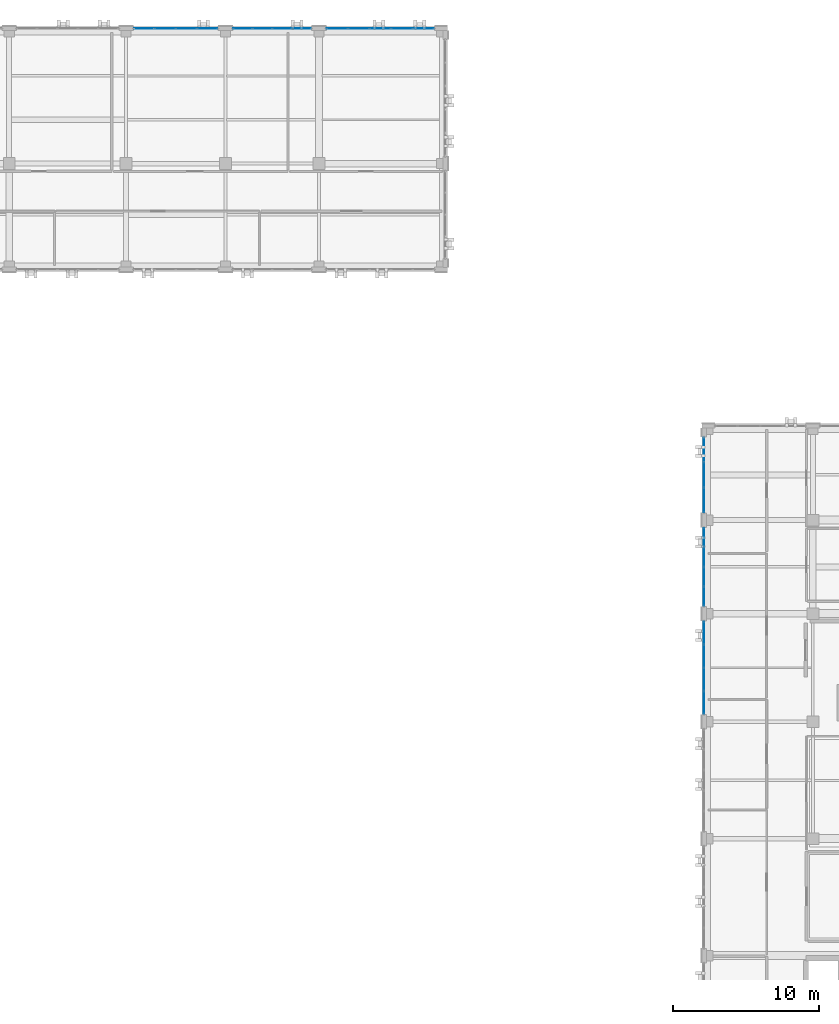
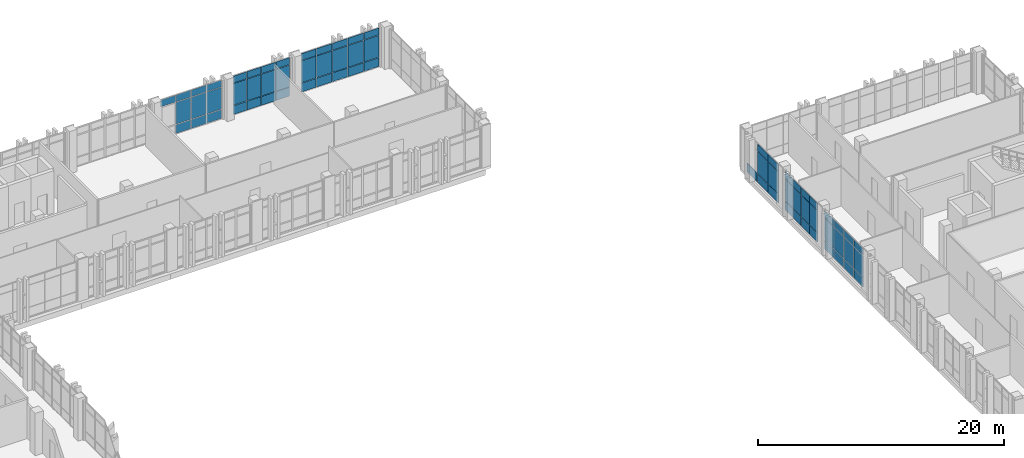
# One storey, part 147 of 193: 68 plates, 6 elements without a shape of their own.
"""IFC4 building model written with IfcOpenShell, lengths in metres."""

from ifc_helpers import new_model, si_unit, direction, frame, origin, origin_2d, place, context, subcontext, project, spatial, rectangle, extrude, material, layer, layer_set, type_object, element, aggregate, save


model = new_model("IFC4")

# Units and contexts
model_context = context("Model", 3, precision=1e-05, world=origin(), true_north=direction((0.0, 1.0)))
body_context = subcontext(model_context, "Body", "Model", "MODEL_VIEW")
ifc_project = project(units=[si_unit("LENGTHUNIT", "METRE"), si_unit("AREAUNIT", "SQUARE_METRE"), si_unit("VOLUMEUNIT", "CUBIC_METRE"), si_unit("PLANEANGLEUNIT", "RADIAN"), si_unit("MASSUNIT", "GRAM", prefix="KILO")], contexts=[model_context])

# Site, building, storey
site_placement = place(None, origin())
site = spatial("IfcSite", under=ifc_project, at=site_placement, CompositionType="ELEMENT")
building_placement = place(site_placement, origin())
building = spatial("IfcBuilding", under=site, at=building_placement, Name="Qalavern Law Courts", CompositionType="ELEMENT")
storey_placement = place(building_placement, frame((0.0, 0.0, 10.199951171875)))
storey = spatial("IfcBuildingStorey", under=building, at=storey_placement, Name="L02", CompositionType="ELEMENT", Elevation=10.199951171875)

# Curtain wall, plates
ifc_material_1 = material(Name="Anodised aluminium and insulated glazing", Category="aluminium")
ifc_layer_1 = layer(ifc_material_1, 0.172119140625)
ifc_layer_set_1 = layer_set([ifc_layer_1], Name="Anodised aluminium and insulated glazing")
curtain_wall_type_1 = type_object("IfcCurtainWallType", Name="ENV-CW-COURT", PredefinedType="USERDEFINED", material=ifc_layer_set_1)
curtain_wall_1_placement = place(storey_placement, origin())
curtain_wall_1 = element("IfcCurtainWall", 1, at=curtain_wall_1_placement, inside=storey, type_object=curtain_wall_type_1, Name="V4 unitised curtain wall L02 west 3", ObjectType="UNITISED CURTAIN WALL", PredefinedType="USERDEFINED")
ifc_material_2 = material(Name="Insulated low-E acoustic glazing", Category="glass")
ifc_layer_2 = layer(ifc_material_2, 0.02392578125)
ifc_layer_set_2 = layer_set([ifc_layer_2], Name="Insulated low-E acoustic glazing")
plate_type_1 = type_object("IfcPlateType", Name="ENV-CWP-24", PredefinedType="CURTAIN_PANEL", material=ifc_layer_set_2)
plate_1_placement = place(storey_placement, frame((84.35498046875, 71.488037109375, 0.048095703125), z_axis=(0.0, 0.0, 1.0), x_axis=(0.0, -1.0, 0.0)))
plate_1 = element("IfcPlate", 2, at=plate_1_placement, type_object=plate_type_1, Name="CW-03 panel 1.1", PredefinedType="CURTAIN_PANEL", context=body_context, shape_type="SweptSolid", body=[
    extrude(rectangle(XDim=1.528076171875, YDim=0.02392578125, at=origin_2d()), origin(), (0.0, 0.0, 1.0), 0.8779296875),
])
plate_2_placement = place(storey_placement, frame((84.35498046875, 71.488037109375, 0.97412109375), z_axis=(0.0, 0.0, 1.0), x_axis=(0.0, -1.0, 0.0)))
plate_2 = element("IfcPlate", 3, at=plate_2_placement, type_object=plate_type_1, Name="CW-03 panel 1.2", PredefinedType="CURTAIN_PANEL", context=body_context, shape_type="SweptSolid", body=[
    extrude(rectangle(XDim=1.528076171875, YDim=0.02392578125, at=origin_2d()), origin(), (0.0, 0.0, 1.0), 2.1669921875),
])
plate_3_placement = place(storey_placement, frame((84.35498046875, 71.488037109375, 3.18896484375), z_axis=(0.0, 0.0, 1.0), x_axis=(0.0, -1.0, 0.0)))
plate_3 = element("IfcPlate", 4, at=plate_3_placement, type_object=plate_type_1, Name="CW-03 panel 1.3", PredefinedType="CURTAIN_PANEL", context=body_context, shape_type="SweptSolid", body=[
    extrude(rectangle(XDim=1.528076171875, YDim=0.02392578125, at=origin_2d()), origin(), (0.0, 0.0, 1.0), 0.677978515625),
])
plate_4_placement = place(storey_placement, frame((84.35498046875, 69.89990234375, 0.048095703125), z_axis=(0.0, 0.0, 1.0), x_axis=(0.0, -1.0, 0.0)))
plate_4 = element("IfcPlate", 5, at=plate_4_placement, type_object=plate_type_1, Name="CW-03 panel 2.1", PredefinedType="CURTAIN_PANEL", context=body_context, shape_type="SweptSolid", body=[
    extrude(rectangle(XDim=1.552001953125, YDim=0.02392578125, at=origin_2d()), origin(), (0.0, 0.0, 1.0), 0.8779296875),
])
plate_5_placement = place(storey_placement, frame((84.35498046875, 69.89990234375, 0.97412109375), z_axis=(0.0, 0.0, 1.0), x_axis=(0.0, -1.0, 0.0)))
plate_5 = element("IfcPlate", 6, at=plate_5_placement, type_object=plate_type_1, Name="CW-03 panel 2.2", PredefinedType="CURTAIN_PANEL", context=body_context, shape_type="SweptSolid", body=[
    extrude(rectangle(XDim=1.552001953125, YDim=0.02392578125, at=origin_2d()), origin(), (0.0, 0.0, 1.0), 2.1669921875),
])
plate_6_placement = place(storey_placement, frame((84.35498046875, 69.89990234375, 3.18896484375), z_axis=(0.0, 0.0, 1.0), x_axis=(0.0, -1.0, 0.0)))
plate_6 = element("IfcPlate", 7, at=plate_6_placement, type_object=plate_type_1, Name="CW-03 panel 2.3", PredefinedType="CURTAIN_PANEL", context=body_context, shape_type="SweptSolid", body=[
    extrude(rectangle(XDim=1.552001953125, YDim=0.02392578125, at=origin_2d()), origin(), (0.0, 0.0, 1.0), 0.677978515625),
])
plate_7_placement = place(storey_placement, frame((84.35498046875, 68.300048828125, 0.048095703125), z_axis=(0.0, 0.0, 1.0), x_axis=(0.0, -1.0, 0.0)))
plate_7 = element("IfcPlate", 8, at=plate_7_placement, type_object=plate_type_1, Name="CW-03 panel 3.1", PredefinedType="CURTAIN_PANEL", context=body_context, shape_type="SweptSolid", body=[
    extrude(rectangle(XDim=1.552001953125, YDim=0.02392578125, at=origin_2d()), origin(), (0.0, 0.0, 1.0), 0.8779296875),
])
plate_8_placement = place(storey_placement, frame((84.35498046875, 68.300048828125, 0.97412109375), z_axis=(0.0, 0.0, 1.0), x_axis=(0.0, -1.0, 0.0)))
plate_8 = element("IfcPlate", 9, at=plate_8_placement, type_object=plate_type_1, Name="CW-03 panel 3.2", PredefinedType="CURTAIN_PANEL", context=body_context, shape_type="SweptSolid", body=[
    extrude(rectangle(XDim=1.552001953125, YDim=0.02392578125, at=origin_2d()), origin(), (0.0, 0.0, 1.0), 2.1669921875),
])
plate_9_placement = place(storey_placement, frame((84.35498046875, 68.300048828125, 3.18896484375), z_axis=(0.0, 0.0, 1.0), x_axis=(0.0, -1.0, 0.0)))
plate_9 = element("IfcPlate", 10, at=plate_9_placement, type_object=plate_type_1, Name="CW-03 panel 3.3", PredefinedType="CURTAIN_PANEL", context=body_context, shape_type="SweptSolid", body=[
    extrude(rectangle(XDim=1.552001953125, YDim=0.02392578125, at=origin_2d()), origin(), (0.0, 0.0, 1.0), 0.677978515625),
])
plate_10_placement = place(storey_placement, frame((84.35498046875, 66.7119140625, 0.048095703125), z_axis=(0.0, 0.0, 1.0), x_axis=(0.0, -1.0, 0.0)))
plate_10 = element("IfcPlate", 11, at=plate_10_placement, type_object=plate_type_1, Name="CW-03 panel 4.1", PredefinedType="CURTAIN_PANEL", context=body_context, shape_type="SweptSolid", body=[
    extrude(rectangle(XDim=1.528076171875, YDim=0.02392578125, at=origin_2d()), origin(), (0.0, 0.0, 1.0), 0.8779296875),
])
plate_11_placement = place(storey_placement, frame((84.35498046875, 66.7119140625, 0.97412109375), z_axis=(0.0, 0.0, 1.0), x_axis=(0.0, -1.0, 0.0)))
plate_11 = element("IfcPlate", 12, at=plate_11_placement, type_object=plate_type_1, Name="CW-03 panel 4.2", PredefinedType="CURTAIN_PANEL", context=body_context, shape_type="SweptSolid", body=[
    extrude(rectangle(XDim=1.528076171875, YDim=0.02392578125, at=origin_2d()), origin(), (0.0, 0.0, 1.0), 2.1669921875),
])
plate_12_placement = place(storey_placement, frame((84.35498046875, 66.7119140625, 3.18896484375), z_axis=(0.0, 0.0, 1.0), x_axis=(0.0, -1.0, 0.0)))
plate_12 = element("IfcPlate", 13, at=plate_12_placement, type_object=plate_type_1, Name="CW-03 panel 4.3", PredefinedType="CURTAIN_PANEL", context=body_context, shape_type="SweptSolid", body=[
    extrude(rectangle(XDim=1.528076171875, YDim=0.02392578125, at=origin_2d()), origin(), (0.0, 0.0, 1.0), 0.677978515625),
])
aggregate(curtain_wall_1, [plate_1, plate_2, plate_3, plate_4, plate_5, plate_6, plate_7, plate_8, plate_9, plate_10, plate_11, plate_12])

ifc_layer_3 = layer(ifc_material_1, 0.166015625)
ifc_layer_set_3 = layer_set([ifc_layer_3], Name="Anodised aluminium and insulated glazing")
curtain_wall_type_2 = type_object("IfcCurtainWallType", Name="ENV-CW-LIB", PredefinedType="USERDEFINED", material=ifc_layer_set_3)
curtain_wall_2_placement = place(storey_placement, origin())
curtain_wall_2 = element("IfcCurtainWall", 14, at=curtain_wall_2_placement, inside=storey, type_object=curtain_wall_type_2, Name="V5 unitised curtain wall L02 north 3", ObjectType="UNITISED CURTAIN WALL", PredefinedType="USERDEFINED")
plate_13_placement = place(storey_placement, frame((50.363037109375, 112.844970703125, 0.048095703125), z_axis=(0.0, 0.0, 1.0), x_axis=(-1.0, 0.0, 0.0)))
plate_13 = element("IfcPlate", 15, at=plate_13_placement, type_object=plate_type_1, Name="CW-05 panel 1.1", PredefinedType="CURTAIN_PANEL", context=body_context, shape_type="SweptSolid", body=[
    extrude(rectangle(XDim=1.3779296875, YDim=0.02392578125, at=origin_2d()), origin(), (0.0, 0.0, 1.0), 0.8779296875),
])
plate_14_placement = place(storey_placement, frame((50.363037109375, 112.844970703125, 0.97412109375), z_axis=(0.0, 0.0, 1.0), x_axis=(-1.0, 0.0, 0.0)))
plate_14 = element("IfcPlate", 16, at=plate_14_placement, type_object=plate_type_1, Name="CW-05 panel 1.2", PredefinedType="CURTAIN_PANEL", context=body_context, shape_type="SweptSolid", body=[
    extrude(rectangle(XDim=1.3779296875, YDim=0.02392578125, at=origin_2d()), origin(), (0.0, 0.0, 1.0), 2.1669921875),
])
plate_15_placement = place(storey_placement, frame((50.363037109375, 112.844970703125, 3.18896484375), z_axis=(0.0, 0.0, 1.0), x_axis=(-1.0, 0.0, 0.0)))
plate_15 = element("IfcPlate", 17, at=plate_15_placement, type_object=plate_type_1, Name="CW-05 panel 1.3", PredefinedType="CURTAIN_PANEL", context=body_context, shape_type="SweptSolid", body=[
    extrude(rectangle(XDim=1.3779296875, YDim=0.02392578125, at=origin_2d()), origin(), (0.0, 0.0, 1.0), 0.677978515625),
])
plate_16_placement = place(storey_placement, frame((48.925048828125, 112.844970703125, 0.048095703125), z_axis=(0.0, 0.0, 1.0), x_axis=(-1.0, 0.0, 0.0)))
plate_16 = element("IfcPlate", 18, at=plate_16_placement, type_object=plate_type_1, Name="CW-05 panel 2.1", PredefinedType="CURTAIN_PANEL", context=body_context, shape_type="SweptSolid", body=[
    extrude(rectangle(XDim=1.402099609375, YDim=0.02392578125, at=origin_2d()), origin(), (0.0, 0.0, 1.0), 0.8779296875),
])
plate_17_placement = place(storey_placement, frame((48.925048828125, 112.844970703125, 0.97412109375), z_axis=(0.0, 0.0, 1.0), x_axis=(-1.0, 0.0, 0.0)))
plate_17 = element("IfcPlate", 19, at=plate_17_placement, type_object=plate_type_1, Name="CW-05 panel 2.2", PredefinedType="CURTAIN_PANEL", context=body_context, shape_type="SweptSolid", body=[
    extrude(rectangle(XDim=1.402099609375, YDim=0.02392578125, at=origin_2d()), origin(), (0.0, 0.0, 1.0), 2.1669921875),
])
plate_18_placement = place(storey_placement, frame((48.925048828125, 112.844970703125, 3.18896484375), z_axis=(0.0, 0.0, 1.0), x_axis=(-1.0, 0.0, 0.0)))
plate_18 = element("IfcPlate", 20, at=plate_18_placement, type_object=plate_type_1, Name="CW-05 panel 2.3", PredefinedType="CURTAIN_PANEL", context=body_context, shape_type="SweptSolid", body=[
    extrude(rectangle(XDim=1.402099609375, YDim=0.02392578125, at=origin_2d()), origin(), (0.0, 0.0, 1.0), 0.677978515625),
])
plate_19_placement = place(storey_placement, frame((47.47509765625, 112.844970703125, 0.048095703125), z_axis=(0.0, 0.0, 1.0), x_axis=(-1.0, 0.0, 0.0)))
plate_19 = element("IfcPlate", 21, at=plate_19_placement, type_object=plate_type_1, Name="CW-05 panel 3.1", PredefinedType="CURTAIN_PANEL", context=body_context, shape_type="SweptSolid", body=[
    extrude(rectangle(XDim=1.402099609375, YDim=0.02392578125, at=origin_2d()), origin(), (0.0, 0.0, 1.0), 0.8779296875),
])
plate_20_placement = place(storey_placement, frame((47.47509765625, 112.844970703125, 0.97412109375), z_axis=(0.0, 0.0, 1.0), x_axis=(-1.0, 0.0, 0.0)))
plate_20 = element("IfcPlate", 22, at=plate_20_placement, type_object=plate_type_1, Name="CW-05 panel 3.2", PredefinedType="CURTAIN_PANEL", context=body_context, shape_type="SweptSolid", body=[
    extrude(rectangle(XDim=1.402099609375, YDim=0.02392578125, at=origin_2d()), origin(), (0.0, 0.0, 1.0), 2.1669921875),
])
plate_21_placement = place(storey_placement, frame((47.47509765625, 112.844970703125, 3.18896484375), z_axis=(0.0, 0.0, 1.0), x_axis=(-1.0, 0.0, 0.0)))
plate_21 = element("IfcPlate", 23, at=plate_21_placement, type_object=plate_type_1, Name="CW-05 panel 3.3", PredefinedType="CURTAIN_PANEL", context=body_context, shape_type="SweptSolid", body=[
    extrude(rectangle(XDim=1.402099609375, YDim=0.02392578125, at=origin_2d()), origin(), (0.0, 0.0, 1.0), 0.677978515625),
])
plate_22_placement = place(storey_placement, frame((46.037109375, 112.844970703125, 3.18896484375), z_axis=(0.0, 0.0, 1.0), x_axis=(-1.0, 0.0, 0.0)))
plate_22 = element("IfcPlate", 24, at=plate_22_placement, type_object=plate_type_1, Name="CW-05 panel 4.3", PredefinedType="CURTAIN_PANEL", context=body_context, shape_type="SweptSolid", body=[
    extrude(rectangle(XDim=1.3779296875, YDim=0.02392578125, at=origin_2d()), origin(), (0.0, 0.0, 1.0), 0.677978515625),
])
aggregate(curtain_wall_2, [plate_13, plate_14, plate_15, plate_16, plate_17, plate_18, plate_19, plate_20, plate_21, plate_22])

curtain_wall_3_placement = place(storey_placement, origin())
curtain_wall_3 = element("IfcCurtainWall", 25, at=curtain_wall_3_placement, inside=storey, type_object=curtain_wall_type_1, Name="V4 unitised curtain wall L02 west 1", ObjectType="UNITISED CURTAIN WALL", PredefinedType="USERDEFINED")
ifc_layer_4 = layer(ifc_material_2, 0.048095703125)
ifc_layer_set_4 = layer_set([ifc_layer_4], Name="Insulated low-E acoustic glazing")
plate_type_2 = type_object("IfcPlateType", Name="ENV-CWP-48", PredefinedType="CURTAIN_PANEL", material=ifc_layer_set_4)
plate_23_placement = place(storey_placement, frame((84.35498046875, 84.021240234375, 0.048095703125), z_axis=(0.0, 0.0, 1.0), x_axis=(0.0, -1.0, 0.0)))
plate_23 = element("IfcPlate", 26, at=plate_23_placement, type_object=plate_type_2, Name="CW-03 panel 1.1", PredefinedType="CURTAIN_PANEL", context=body_context, shape_type="SweptSolid", body=[
    extrude(rectangle(XDim=1.661376953125, YDim=0.048095703125, at=origin_2d()), origin(), (0.0, 0.0, 1.0), 0.8779296875),
])
plate_24_placement = place(storey_placement, frame((84.35498046875, 82.300048828125, 0.048095703125), z_axis=(0.0, 0.0, 1.0), x_axis=(0.0, -1.0, 0.0)))
plate_24 = element("IfcPlate", 27, at=plate_24_placement, type_object=plate_type_2, Name="CW-03 panel 2.1", PredefinedType="CURTAIN_PANEL", context=body_context, shape_type="SweptSolid", body=[
    extrude(rectangle(XDim=1.685302734375, YDim=0.048095703125, at=origin_2d()), origin(), (0.0, 0.0, 1.0), 0.8779296875),
])
plate_25_placement = place(storey_placement, frame((84.35498046875, 82.300048828125, 0.97412109375), z_axis=(0.0, 0.0, 1.0), x_axis=(0.0, -1.0, 0.0)))
plate_25 = element("IfcPlate", 28, at=plate_25_placement, type_object=plate_type_2, Name="CW-03 panel 2.2", PredefinedType="CURTAIN_PANEL", context=body_context, shape_type="SweptSolid", body=[
    extrude(rectangle(XDim=1.685302734375, YDim=0.048095703125, at=origin_2d()), origin(), (0.0, 0.0, 1.0), 2.1669921875),
])
plate_26_placement = place(storey_placement, frame((84.35498046875, 82.300048828125, 3.18896484375), z_axis=(0.0, 0.0, 1.0), x_axis=(0.0, -1.0, 0.0)))
plate_26 = element("IfcPlate", 29, at=plate_26_placement, type_object=plate_type_2, Name="CW-03 panel 2.3", PredefinedType="CURTAIN_PANEL", context=body_context, shape_type="SweptSolid", body=[
    extrude(rectangle(XDim=1.685302734375, YDim=0.048095703125, at=origin_2d()), origin(), (0.0, 0.0, 1.0), 0.677978515625),
])
plate_27_placement = place(storey_placement, frame((84.35498046875, 80.57861328125, 0.048095703125), z_axis=(0.0, 0.0, 1.0), x_axis=(0.0, -1.0, 0.0)))
plate_27 = element("IfcPlate", 30, at=plate_27_placement, type_object=plate_type_2, Name="CW-03 panel 3.1", PredefinedType="CURTAIN_PANEL", context=body_context, shape_type="SweptSolid", body=[
    extrude(rectangle(XDim=1.661376953125, YDim=0.048095703125, at=origin_2d()), origin(), (0.0, 0.0, 1.0), 0.8779296875),
])
plate_28_placement = place(storey_placement, frame((84.35498046875, 80.57861328125, 0.97412109375), z_axis=(0.0, 0.0, 1.0), x_axis=(0.0, -1.0, 0.0)))
plate_28 = element("IfcPlate", 31, at=plate_28_placement, type_object=plate_type_2, Name="CW-03 panel 3.2", PredefinedType="CURTAIN_PANEL", context=body_context, shape_type="SweptSolid", body=[
    extrude(rectangle(XDim=1.661376953125, YDim=0.048095703125, at=origin_2d()), origin(), (0.0, 0.0, 1.0), 2.1669921875),
])
plate_29_placement = place(storey_placement, frame((84.35498046875, 80.57861328125, 3.18896484375), z_axis=(0.0, 0.0, 1.0), x_axis=(0.0, -1.0, 0.0)))
plate_29 = element("IfcPlate", 32, at=plate_29_placement, type_object=plate_type_2, Name="CW-03 panel 3.3", PredefinedType="CURTAIN_PANEL", context=body_context, shape_type="SweptSolid", body=[
    extrude(rectangle(XDim=1.661376953125, YDim=0.048095703125, at=origin_2d()), origin(), (0.0, 0.0, 1.0), 0.677978515625),
])
aggregate(curtain_wall_3, [plate_23, plate_24, plate_25, plate_26, plate_27, plate_28, plate_29])

curtain_wall_4_placement = place(storey_placement, origin())
curtain_wall_4 = element("IfcCurtainWall", 33, at=curtain_wall_4_placement, inside=storey, type_object=curtain_wall_type_2, Name="V5 unitised curtain wall L02 north 1", ObjectType="UNITISED CURTAIN WALL", PredefinedType="USERDEFINED")
plate_30_placement = place(storey_placement, frame((65.14794921875, 112.844970703125, 0.048095703125), z_axis=(0.0, 0.0, 1.0), x_axis=(-1.0, 0.0, 0.0)))
plate_30 = element("IfcPlate", 34, at=plate_30_placement, type_object=plate_type_2, Name="CW-05 panel 1.1", PredefinedType="CURTAIN_PANEL", context=body_context, shape_type="SweptSolid", body=[
    extrude(rectangle(XDim=1.407958984375, YDim=0.048095703125, at=origin_2d()), origin(), (0.0, 0.0, 1.0), 0.8779296875),
])
plate_31_placement = place(storey_placement, frame((65.14794921875, 112.844970703125, 0.97412109375), z_axis=(0.0, 0.0, 1.0), x_axis=(-1.0, 0.0, 0.0)))
plate_31 = element("IfcPlate", 35, at=plate_31_placement, type_object=plate_type_2, Name="CW-05 panel 1.2", PredefinedType="CURTAIN_PANEL", context=body_context, shape_type="SweptSolid", body=[
    extrude(rectangle(XDim=1.407958984375, YDim=0.048095703125, at=origin_2d()), origin(), (0.0, 0.0, 1.0), 2.1669921875),
])
plate_32_placement = place(storey_placement, frame((65.14794921875, 112.844970703125, 3.18896484375), z_axis=(0.0, 0.0, 1.0), x_axis=(-1.0, 0.0, 0.0)))
plate_32 = element("IfcPlate", 36, at=plate_32_placement, type_object=plate_type_2, Name="CW-05 panel 1.3", PredefinedType="CURTAIN_PANEL", context=body_context, shape_type="SweptSolid", body=[
    extrude(rectangle(XDim=1.407958984375, YDim=0.048095703125, at=origin_2d()), origin(), (0.0, 0.0, 1.0), 0.677978515625),
])
plate_33_placement = place(storey_placement, frame((63.679931640625, 112.844970703125, 0.048095703125), z_axis=(0.0, 0.0, 1.0), x_axis=(-1.0, 0.0, 0.0)))
plate_33 = element("IfcPlate", 37, at=plate_33_placement, type_object=plate_type_2, Name="CW-05 panel 2.1", PredefinedType="CURTAIN_PANEL", context=body_context, shape_type="SweptSolid", body=[
    extrude(rectangle(XDim=1.431884765625, YDim=0.048095703125, at=origin_2d()), origin(), (0.0, 0.0, 1.0), 0.8779296875),
])
plate_34_placement = place(storey_placement, frame((63.679931640625, 112.844970703125, 0.97412109375), z_axis=(0.0, 0.0, 1.0), x_axis=(-1.0, 0.0, 0.0)))
plate_34 = element("IfcPlate", 38, at=plate_34_placement, type_object=plate_type_2, Name="CW-05 panel 2.2", PredefinedType="CURTAIN_PANEL", context=body_context, shape_type="SweptSolid", body=[
    extrude(rectangle(XDim=1.431884765625, YDim=0.048095703125, at=origin_2d()), origin(), (0.0, 0.0, 1.0), 2.1669921875),
])
plate_35_placement = place(storey_placement, frame((63.679931640625, 112.844970703125, 3.18896484375), z_axis=(0.0, 0.0, 1.0), x_axis=(-1.0, 0.0, 0.0)))
plate_35 = element("IfcPlate", 39, at=plate_35_placement, type_object=plate_type_2, Name="CW-05 panel 2.3", PredefinedType="CURTAIN_PANEL", context=body_context, shape_type="SweptSolid", body=[
    extrude(rectangle(XDim=1.431884765625, YDim=0.048095703125, at=origin_2d()), origin(), (0.0, 0.0, 1.0), 0.677978515625),
])
plate_36_placement = place(storey_placement, frame((62.199951171875, 112.844970703125, 0.048095703125), z_axis=(0.0, 0.0, 1.0), x_axis=(-1.0, 0.0, 0.0)))
plate_36 = element("IfcPlate", 40, at=plate_36_placement, type_object=plate_type_2, Name="CW-05 panel 3.1", PredefinedType="CURTAIN_PANEL", context=body_context, shape_type="SweptSolid", body=[
    extrude(rectangle(XDim=1.431884765625, YDim=0.048095703125, at=origin_2d()), origin(), (0.0, 0.0, 1.0), 0.8779296875),
])
plate_37_placement = place(storey_placement, frame((62.199951171875, 112.844970703125, 0.97412109375), z_axis=(0.0, 0.0, 1.0), x_axis=(-1.0, 0.0, 0.0)))
plate_37 = element("IfcPlate", 41, at=plate_37_placement, type_object=plate_type_2, Name="CW-05 panel 3.2", PredefinedType="CURTAIN_PANEL", context=body_context, shape_type="SweptSolid", body=[
    extrude(rectangle(XDim=1.431884765625, YDim=0.048095703125, at=origin_2d()), origin(), (0.0, 0.0, 1.0), 2.1669921875),
])
plate_38_placement = place(storey_placement, frame((62.199951171875, 112.844970703125, 3.18896484375), z_axis=(0.0, 0.0, 1.0), x_axis=(-1.0, 0.0, 0.0)))
plate_38 = element("IfcPlate", 42, at=plate_38_placement, type_object=plate_type_2, Name="CW-05 panel 3.3", PredefinedType="CURTAIN_PANEL", context=body_context, shape_type="SweptSolid", body=[
    extrude(rectangle(XDim=1.431884765625, YDim=0.048095703125, at=origin_2d()), origin(), (0.0, 0.0, 1.0), 0.677978515625),
])
plate_39_placement = place(storey_placement, frame((60.719970703125, 112.844970703125, 0.048095703125), z_axis=(0.0, 0.0, 1.0), x_axis=(-1.0, 0.0, 0.0)))
plate_39 = element("IfcPlate", 43, at=plate_39_placement, type_object=plate_type_2, Name="CW-05 panel 4.1", PredefinedType="CURTAIN_PANEL", context=body_context, shape_type="SweptSolid", body=[
    extrude(rectangle(XDim=1.431884765625, YDim=0.048095703125, at=origin_2d()), origin(), (0.0, 0.0, 1.0), 0.8779296875),
])
plate_40_placement = place(storey_placement, frame((60.719970703125, 112.844970703125, 0.97412109375), z_axis=(0.0, 0.0, 1.0), x_axis=(-1.0, 0.0, 0.0)))
plate_40 = element("IfcPlate", 44, at=plate_40_placement, type_object=plate_type_2, Name="CW-05 panel 4.2", PredefinedType="CURTAIN_PANEL", context=body_context, shape_type="SweptSolid", body=[
    extrude(rectangle(XDim=1.431884765625, YDim=0.048095703125, at=origin_2d()), origin(), (0.0, 0.0, 1.0), 2.1669921875),
])
plate_41_placement = place(storey_placement, frame((60.719970703125, 112.844970703125, 3.18896484375), z_axis=(0.0, 0.0, 1.0), x_axis=(-1.0, 0.0, 0.0)))
plate_41 = element("IfcPlate", 45, at=plate_41_placement, type_object=plate_type_2, Name="CW-05 panel 4.3", PredefinedType="CURTAIN_PANEL", context=body_context, shape_type="SweptSolid", body=[
    extrude(rectangle(XDim=1.431884765625, YDim=0.048095703125, at=origin_2d()), origin(), (0.0, 0.0, 1.0), 0.677978515625),
])
plate_42_placement = place(storey_placement, frame((59.251953125, 112.844970703125, 0.048095703125), z_axis=(0.0, 0.0, 1.0), x_axis=(-1.0, 0.0, 0.0)))
plate_42 = element("IfcPlate", 46, at=plate_42_placement, type_object=plate_type_2, Name="CW-05 panel 5.1", PredefinedType="CURTAIN_PANEL", context=body_context, shape_type="SweptSolid", body=[
    extrude(rectangle(XDim=1.407958984375, YDim=0.048095703125, at=origin_2d()), origin(), (0.0, 0.0, 1.0), 0.8779296875),
])
plate_43_placement = place(storey_placement, frame((59.251953125, 112.844970703125, 0.97412109375), z_axis=(0.0, 0.0, 1.0), x_axis=(-1.0, 0.0, 0.0)))
plate_43 = element("IfcPlate", 47, at=plate_43_placement, type_object=plate_type_2, Name="CW-05 panel 5.2", PredefinedType="CURTAIN_PANEL", context=body_context, shape_type="SweptSolid", body=[
    extrude(rectangle(XDim=1.407958984375, YDim=0.048095703125, at=origin_2d()), origin(), (0.0, 0.0, 1.0), 2.1669921875),
])
plate_44_placement = place(storey_placement, frame((59.251953125, 112.844970703125, 3.18896484375), z_axis=(0.0, 0.0, 1.0), x_axis=(-1.0, 0.0, 0.0)))
plate_44 = element("IfcPlate", 48, at=plate_44_placement, type_object=plate_type_2, Name="CW-05 panel 5.3", PredefinedType="CURTAIN_PANEL", context=body_context, shape_type="SweptSolid", body=[
    extrude(rectangle(XDim=1.407958984375, YDim=0.048095703125, at=origin_2d()), origin(), (0.0, 0.0, 1.0), 0.677978515625),
])
aggregate(curtain_wall_4, [plate_30, plate_31, plate_32, plate_33, plate_34, plate_35, plate_36, plate_37, plate_38, plate_39, plate_40, plate_41, plate_42, plate_43, plate_44])

curtain_wall_5_placement = place(storey_placement, origin())
curtain_wall_5 = element("IfcCurtainWall", 49, at=curtain_wall_5_placement, inside=storey, type_object=curtain_wall_type_1, Name="V4 unitised curtain wall L02 west 2", ObjectType="UNITISED CURTAIN WALL", PredefinedType="USERDEFINED")
ifc_layer_5 = layer(ifc_material_2, 0.052001953125)
ifc_layer_set_5 = layer_set([ifc_layer_5], Name="Insulated low-E acoustic glazing")
plate_type_3 = type_object("IfcPlateType", Name="ENV-CWP-52", PredefinedType="CURTAIN_PANEL", material=ifc_layer_set_5)
plate_45_placement = place(storey_placement, frame((84.35498046875, 78.012939453125, 0.048095703125), z_axis=(0.0, 0.0, 1.0), x_axis=(0.0, -1.0, 0.0)))
plate_45 = element("IfcPlate", 50, at=plate_45_placement, type_object=plate_type_3, Name="CW-03 panel 1.1", PredefinedType="CURTAIN_PANEL", context=body_context, shape_type="SweptSolid", body=[
    extrude(rectangle(XDim=1.278076171875, YDim=0.052001953125, at=origin_2d()), origin(), (0.0, 0.0, 1.0), 0.8779296875),
])
plate_46_placement = place(storey_placement, frame((84.35498046875, 78.012939453125, 0.97412109375), z_axis=(0.0, 0.0, 1.0), x_axis=(0.0, -1.0, 0.0)))
plate_46 = element("IfcPlate", 51, at=plate_46_placement, type_object=plate_type_3, Name="CW-03 panel 1.2", PredefinedType="CURTAIN_PANEL", context=body_context, shape_type="SweptSolid", body=[
    extrude(rectangle(XDim=1.278076171875, YDim=0.052001953125, at=origin_2d()), origin(), (0.0, 0.0, 1.0), 2.1669921875),
])
plate_47_placement = place(storey_placement, frame((84.35498046875, 78.012939453125, 3.18896484375), z_axis=(0.0, 0.0, 1.0), x_axis=(0.0, -1.0, 0.0)))
plate_47 = element("IfcPlate", 52, at=plate_47_placement, type_object=plate_type_3, Name="CW-03 panel 1.3", PredefinedType="CURTAIN_PANEL", context=body_context, shape_type="SweptSolid", body=[
    extrude(rectangle(XDim=1.278076171875, YDim=0.052001953125, at=origin_2d()), origin(), (0.0, 0.0, 1.0), 0.677978515625),
])
plate_48_placement = place(storey_placement, frame((84.35498046875, 76.675048828125, 0.048095703125), z_axis=(0.0, 0.0, 1.0), x_axis=(0.0, -1.0, 0.0)))
plate_48 = element("IfcPlate", 53, at=plate_48_placement, type_object=plate_type_3, Name="CW-03 panel 2.1", PredefinedType="CURTAIN_PANEL", context=body_context, shape_type="SweptSolid", body=[
    extrude(rectangle(XDim=1.302001953125, YDim=0.052001953125, at=origin_2d()), origin(), (0.0, 0.0, 1.0), 0.8779296875),
])
plate_49_placement = place(storey_placement, frame((84.35498046875, 76.675048828125, 0.97412109375), z_axis=(0.0, 0.0, 1.0), x_axis=(0.0, -1.0, 0.0)))
plate_49 = element("IfcPlate", 54, at=plate_49_placement, type_object=plate_type_3, Name="CW-03 panel 2.2", PredefinedType="CURTAIN_PANEL", context=body_context, shape_type="SweptSolid", body=[
    extrude(rectangle(XDim=1.302001953125, YDim=0.052001953125, at=origin_2d()), origin(), (0.0, 0.0, 1.0), 2.1669921875),
])
plate_50_placement = place(storey_placement, frame((84.35498046875, 76.675048828125, 3.18896484375), z_axis=(0.0, 0.0, 1.0), x_axis=(0.0, -1.0, 0.0)))
plate_50 = element("IfcPlate", 55, at=plate_50_placement, type_object=plate_type_3, Name="CW-03 panel 2.3", PredefinedType="CURTAIN_PANEL", context=body_context, shape_type="SweptSolid", body=[
    extrude(rectangle(XDim=1.302001953125, YDim=0.052001953125, at=origin_2d()), origin(), (0.0, 0.0, 1.0), 0.677978515625),
])
plate_51_placement = place(storey_placement, frame((84.35498046875, 75.324951171875, 0.048095703125), z_axis=(0.0, 0.0, 1.0), x_axis=(0.0, -1.0, 0.0)))
plate_51 = element("IfcPlate", 56, at=plate_51_placement, type_object=plate_type_3, Name="CW-03 panel 3.1", PredefinedType="CURTAIN_PANEL", context=body_context, shape_type="SweptSolid", body=[
    extrude(rectangle(XDim=1.302001953125, YDim=0.052001953125, at=origin_2d()), origin(), (0.0, 0.0, 1.0), 0.8779296875),
])
plate_52_placement = place(storey_placement, frame((84.35498046875, 75.324951171875, 0.97412109375), z_axis=(0.0, 0.0, 1.0), x_axis=(0.0, -1.0, 0.0)))
plate_52 = element("IfcPlate", 57, at=plate_52_placement, type_object=plate_type_3, Name="CW-03 panel 3.2", PredefinedType="CURTAIN_PANEL", context=body_context, shape_type="SweptSolid", body=[
    extrude(rectangle(XDim=1.302001953125, YDim=0.052001953125, at=origin_2d()), origin(), (0.0, 0.0, 1.0), 2.1669921875),
])
plate_53_placement = place(storey_placement, frame((84.35498046875, 75.324951171875, 3.18896484375), z_axis=(0.0, 0.0, 1.0), x_axis=(0.0, -1.0, 0.0)))
plate_53 = element("IfcPlate", 58, at=plate_53_placement, type_object=plate_type_3, Name="CW-03 panel 3.3", PredefinedType="CURTAIN_PANEL", context=body_context, shape_type="SweptSolid", body=[
    extrude(rectangle(XDim=1.302001953125, YDim=0.052001953125, at=origin_2d()), origin(), (0.0, 0.0, 1.0), 0.677978515625),
])
plate_54_placement = place(storey_placement, frame((84.35498046875, 73.987060546875, 0.048095703125), z_axis=(0.0, 0.0, 1.0), x_axis=(0.0, -1.0, 0.0)))
plate_54 = element("IfcPlate", 59, at=plate_54_placement, type_object=plate_type_3, Name="CW-03 panel 4.1", PredefinedType="CURTAIN_PANEL", context=body_context, shape_type="SweptSolid", body=[
    extrude(rectangle(XDim=1.278076171875, YDim=0.052001953125, at=origin_2d()), origin(), (0.0, 0.0, 1.0), 0.8779296875),
])
plate_55_placement = place(storey_placement, frame((84.35498046875, 73.987060546875, 0.97412109375), z_axis=(0.0, 0.0, 1.0), x_axis=(0.0, -1.0, 0.0)))
plate_55 = element("IfcPlate", 60, at=plate_55_placement, type_object=plate_type_3, Name="CW-03 panel 4.2", PredefinedType="CURTAIN_PANEL", context=body_context, shape_type="SweptSolid", body=[
    extrude(rectangle(XDim=1.278076171875, YDim=0.052001953125, at=origin_2d()), origin(), (0.0, 0.0, 1.0), 2.1669921875),
])
plate_56_placement = place(storey_placement, frame((84.35498046875, 73.987060546875, 3.18896484375), z_axis=(0.0, 0.0, 1.0), x_axis=(0.0, -1.0, 0.0)))
plate_56 = element("IfcPlate", 61, at=plate_56_placement, type_object=plate_type_3, Name="CW-03 panel 4.3", PredefinedType="CURTAIN_PANEL", context=body_context, shape_type="SweptSolid", body=[
    extrude(rectangle(XDim=1.278076171875, YDim=0.052001953125, at=origin_2d()), origin(), (0.0, 0.0, 1.0), 0.677978515625),
])
aggregate(curtain_wall_5, [plate_45, plate_46, plate_47, plate_48, plate_49, plate_50, plate_51, plate_52, plate_53, plate_54, plate_55, plate_56])

curtain_wall_6_placement = place(storey_placement, origin())
curtain_wall_6 = element("IfcCurtainWall", 62, at=curtain_wall_6_placement, inside=storey, type_object=curtain_wall_type_2, Name="V5 unitised curtain wall L02 north 2", ObjectType="UNITISED CURTAIN WALL", PredefinedType="USERDEFINED")
plate_57_placement = place(storey_placement, frame((56.81298828125, 112.844970703125, 0.048095703125), z_axis=(0.0, 0.0, 1.0), x_axis=(-1.0, 0.0, 0.0)))
plate_57 = element("IfcPlate", 63, at=plate_57_placement, type_object=plate_type_3, Name="CW-05 panel 1.1", PredefinedType="CURTAIN_PANEL", context=body_context, shape_type="SweptSolid", body=[
    extrude(rectangle(XDim=1.278076171875, YDim=0.052001953125, at=origin_2d()), origin(), (0.0, 0.0, 1.0), 0.8779296875),
])
plate_58_placement = place(storey_placement, frame((56.81298828125, 112.844970703125, 0.97412109375), z_axis=(0.0, 0.0, 1.0), x_axis=(-1.0, 0.0, 0.0)))
plate_58 = element("IfcPlate", 64, at=plate_58_placement, type_object=plate_type_3, Name="CW-05 panel 1.2", PredefinedType="CURTAIN_PANEL", context=body_context, shape_type="SweptSolid", body=[
    extrude(rectangle(XDim=1.278076171875, YDim=0.052001953125, at=origin_2d()), origin(), (0.0, 0.0, 1.0), 2.1669921875),
])
plate_59_placement = place(storey_placement, frame((56.81298828125, 112.844970703125, 3.18896484375), z_axis=(0.0, 0.0, 1.0), x_axis=(-1.0, 0.0, 0.0)))
plate_59 = element("IfcPlate", 65, at=plate_59_placement, type_object=plate_type_3, Name="CW-05 panel 1.3", PredefinedType="CURTAIN_PANEL", context=body_context, shape_type="SweptSolid", body=[
    extrude(rectangle(XDim=1.278076171875, YDim=0.052001953125, at=origin_2d()), origin(), (0.0, 0.0, 1.0), 0.677978515625),
])
plate_60_placement = place(storey_placement, frame((55.47509765625, 112.844970703125, 0.048095703125), z_axis=(0.0, 0.0, 1.0), x_axis=(-1.0, 0.0, 0.0)))
plate_60 = element("IfcPlate", 66, at=plate_60_placement, type_object=plate_type_3, Name="CW-05 panel 2.1", PredefinedType="CURTAIN_PANEL", context=body_context, shape_type="SweptSolid", body=[
    extrude(rectangle(XDim=1.302001953125, YDim=0.052001953125, at=origin_2d()), origin(), (0.0, 0.0, 1.0), 0.8779296875),
])
plate_61_placement = place(storey_placement, frame((55.47509765625, 112.844970703125, 0.97412109375), z_axis=(0.0, 0.0, 1.0), x_axis=(-1.0, 0.0, 0.0)))
plate_61 = element("IfcPlate", 67, at=plate_61_placement, type_object=plate_type_3, Name="CW-05 panel 2.2", PredefinedType="CURTAIN_PANEL", context=body_context, shape_type="SweptSolid", body=[
    extrude(rectangle(XDim=1.302001953125, YDim=0.052001953125, at=origin_2d()), origin(), (0.0, 0.0, 1.0), 2.1669921875),
])
plate_62_placement = place(storey_placement, frame((55.47509765625, 112.844970703125, 3.18896484375), z_axis=(0.0, 0.0, 1.0), x_axis=(-1.0, 0.0, 0.0)))
plate_62 = element("IfcPlate", 68, at=plate_62_placement, type_object=plate_type_3, Name="CW-05 panel 2.3", PredefinedType="CURTAIN_PANEL", context=body_context, shape_type="SweptSolid", body=[
    extrude(rectangle(XDim=1.302001953125, YDim=0.052001953125, at=origin_2d()), origin(), (0.0, 0.0, 1.0), 0.677978515625),
])
plate_63_placement = place(storey_placement, frame((54.125, 112.844970703125, 0.048095703125), z_axis=(0.0, 0.0, 1.0), x_axis=(-1.0, 0.0, 0.0)))
plate_63 = element("IfcPlate", 69, at=plate_63_placement, type_object=plate_type_3, Name="CW-05 panel 3.1", PredefinedType="CURTAIN_PANEL", context=body_context, shape_type="SweptSolid", body=[
    extrude(rectangle(XDim=1.302001953125, YDim=0.052001953125, at=origin_2d()), origin(), (0.0, 0.0, 1.0), 0.8779296875),
])
plate_64_placement = place(storey_placement, frame((54.125, 112.844970703125, 0.97412109375), z_axis=(0.0, 0.0, 1.0), x_axis=(-1.0, 0.0, 0.0)))
plate_64 = element("IfcPlate", 70, at=plate_64_placement, type_object=plate_type_3, Name="CW-05 panel 3.2", PredefinedType="CURTAIN_PANEL", context=body_context, shape_type="SweptSolid", body=[
    extrude(rectangle(XDim=1.302001953125, YDim=0.052001953125, at=origin_2d()), origin(), (0.0, 0.0, 1.0), 2.1669921875),
])
plate_65_placement = place(storey_placement, frame((54.125, 112.844970703125, 3.18896484375), z_axis=(0.0, 0.0, 1.0), x_axis=(-1.0, 0.0, 0.0)))
plate_65 = element("IfcPlate", 71, at=plate_65_placement, type_object=plate_type_3, Name="CW-05 panel 3.3", PredefinedType="CURTAIN_PANEL", context=body_context, shape_type="SweptSolid", body=[
    extrude(rectangle(XDim=1.302001953125, YDim=0.052001953125, at=origin_2d()), origin(), (0.0, 0.0, 1.0), 0.677978515625),
])
plate_66_placement = place(storey_placement, frame((52.787109375, 112.844970703125, 0.048095703125), z_axis=(0.0, 0.0, 1.0), x_axis=(-1.0, 0.0, 0.0)))
plate_66 = element("IfcPlate", 72, at=plate_66_placement, type_object=plate_type_3, Name="CW-05 panel 4.1", PredefinedType="CURTAIN_PANEL", context=body_context, shape_type="SweptSolid", body=[
    extrude(rectangle(XDim=1.278076171875, YDim=0.052001953125, at=origin_2d()), origin(), (0.0, 0.0, 1.0), 0.8779296875),
])
plate_67_placement = place(storey_placement, frame((52.787109375, 112.844970703125, 0.97412109375), z_axis=(0.0, 0.0, 1.0), x_axis=(-1.0, 0.0, 0.0)))
plate_67 = element("IfcPlate", 73, at=plate_67_placement, type_object=plate_type_3, Name="CW-05 panel 4.2", PredefinedType="CURTAIN_PANEL", context=body_context, shape_type="SweptSolid", body=[
    extrude(rectangle(XDim=1.278076171875, YDim=0.052001953125, at=origin_2d()), origin(), (0.0, 0.0, 1.0), 2.1669921875),
])
plate_68_placement = place(storey_placement, frame((52.787109375, 112.844970703125, 3.18896484375), z_axis=(0.0, 0.0, 1.0), x_axis=(-1.0, 0.0, 0.0)))
plate_68 = element("IfcPlate", 74, at=plate_68_placement, type_object=plate_type_3, Name="CW-05 panel 4.3", PredefinedType="CURTAIN_PANEL", context=body_context, shape_type="SweptSolid", body=[
    extrude(rectangle(XDim=1.278076171875, YDim=0.052001953125, at=origin_2d()), origin(), (0.0, 0.0, 1.0), 0.677978515625),
])
aggregate(curtain_wall_6, [plate_57, plate_58, plate_59, plate_60, plate_61, plate_62, plate_63, plate_64, plate_65, plate_66, plate_67, plate_68])

save(model, "model.ifc")
